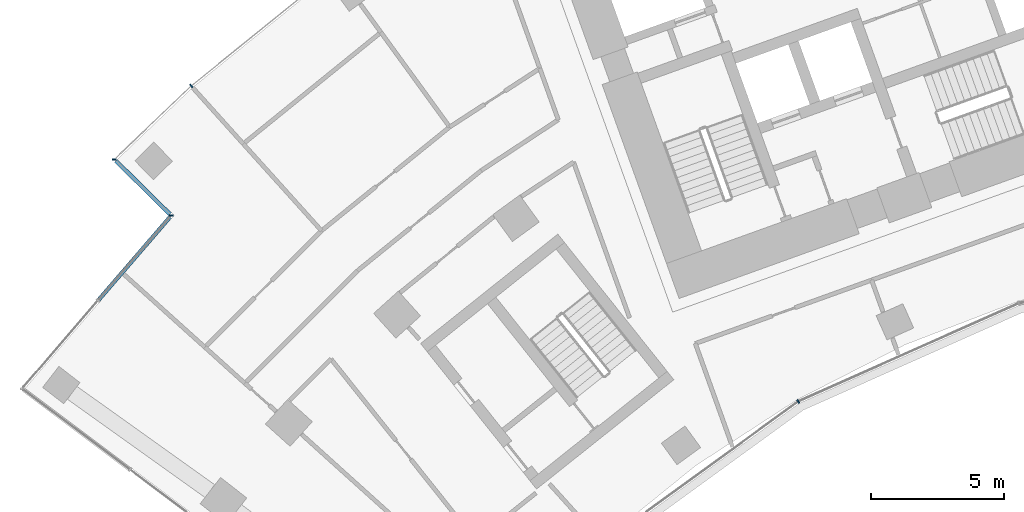
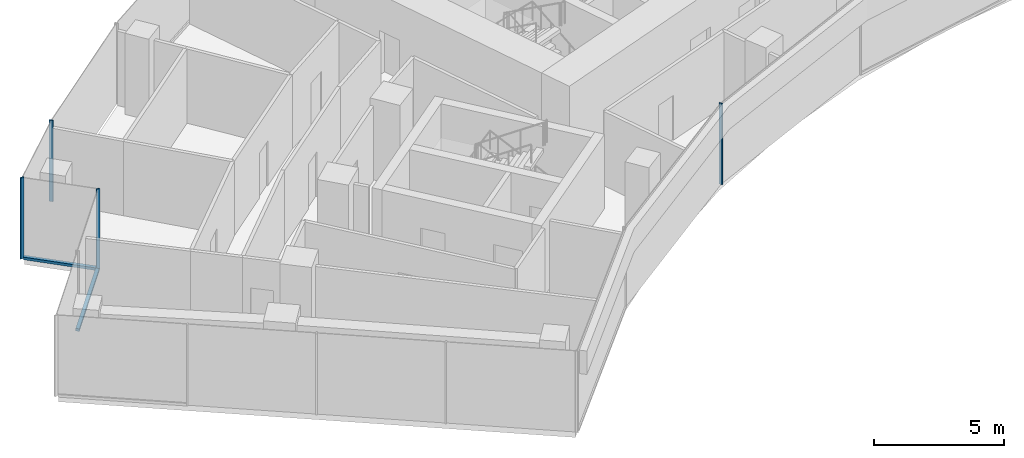
# One storey, part 3 of 20: 6 members, 4 elements without a shape of their own.
"""IFC4 building model written with IfcOpenShell, lengths in metres."""

import ifcopenshell
import ifcopenshell.guid

model = None  # the IFC model being written
_history = None  # IfcOwnerHistory: only IFC2X3 demands one
_inside = {}  # id of a spatial element -> (the spatial element, [elements in it])
_under = {}  # id of a project, library or spatial element -> (it, [spatial elements below it])
_declared = {}  # id of a project -> (the project, [libraries it declares])
_typed = {}  # id of a type object -> (the type object, [elements of that type])
_made_of = {}  # id of a material, layer set ... -> (it, [elements and type objects made of it])


def new_model(schema):
    """Start an empty IFC model of exactly this schema.

    Asked for "IFC4X3", IfcOpenShell would pick the latest addendum, in which some entities
    have other attributes; the version numbers below select the first issue.
    IFC2X3 requires an IfcOwnerHistory on every rooted entity: one is made here for all.
    """
    global model, _history
    if schema == "IFC4X3":
        model = ifcopenshell.file(schema_version=(4, 3, 0, 0))
    else:
        model = ifcopenshell.file(schema=schema)
    _inside.clear()
    _under.clear()
    _declared.clear()
    _typed.clear()
    _made_of.clear()
    _history = None
    if model.schema == "IFC2X3":
        org = make("IfcOrganization", Name="unknown")
        user = make(
            "IfcPersonAndOrganization",
            ThePerson=make("IfcPerson", FamilyName="unknown"),
            TheOrganization=org,
        )
        app = make(
            "IfcApplication",
            ApplicationDeveloper=org,
            Version="unknown",
            ApplicationFullName="unknown",
            ApplicationIdentifier="unknown",
        )
        _history = make(
            "IfcOwnerHistory",
            OwningUser=user,
            OwningApplication=app,
            ChangeAction="ADDED",
            CreationDate=0,
        )
    return model


def make(cls, **values):
    """One entity of the class cls with the attributes given. An attribute that is None is left unset."""
    return model.create_entity(
        cls, **{name: value for name, value in values.items() if value is not None}
    )


def rooted(cls, **values):
    """An entity with a GlobalId (a new one), such as an element, a storey or a relation."""
    return make(cls, GlobalId=ifcopenshell.guid.new(), OwnerHistory=_history, **values)


def si_unit(unit_type, name, prefix=None):
    """IfcSIUnit, for example si_unit("LENGTHUNIT", "METRE", prefix="MILLI")."""
    return make("IfcSIUnit", UnitType=unit_type, Prefix=prefix, Name=name)


def assignment(units):
    """IfcUnitAssignment: the units of a project."""
    return None if units is None else make("IfcUnitAssignment", Units=units)


def point(xyz):
    """IfcCartesianPoint."""
    return None if xyz is None else make("IfcCartesianPoint", Coordinates=xyz)


def direction(xyz):
    """IfcDirection."""
    return None if xyz is None else make("IfcDirection", DirectionRatios=xyz)


def frame(location, z_axis=None, x_axis=None):
    """IfcAxis2Placement3D, a coordinate frame: its origin and axes. An axis left out is left unset."""
    return make(
        "IfcAxis2Placement3D",
        Location=point(location),
        Axis=direction(z_axis),
        RefDirection=direction(x_axis),
    )


def frame_2d(location, x_axis=None):
    """IfcAxis2Placement2D, a coordinate frame in the plane: its origin and x axis."""
    return make(
        "IfcAxis2Placement2D", Location=point(location), RefDirection=direction(x_axis)
    )


def origin():
    """The frame at (0, 0, 0) with its axes left unset."""
    return frame((0.0, 0.0, 0.0))


def origin_2d():
    """The frame at (0, 0) in the plane with its x axis left unset."""
    return frame_2d((0.0, 0.0))


def place(relative_to, where):
    """IfcLocalPlacement: puts the frame where relative to a parent placement (None: the world)."""
    return make(
        "IfcLocalPlacement", PlacementRelTo=relative_to, RelativePlacement=where
    )


def context(
    kind, dimensions, precision=None, world=None, true_north=None, identifier=None
):
    """IfcGeometricRepresentationContext, for example the 3D "Model" context."""
    return make(
        "IfcGeometricRepresentationContext",
        ContextIdentifier=identifier,
        ContextType=kind,
        CoordinateSpaceDimension=dimensions,
        Precision=precision,
        WorldCoordinateSystem=world,
        TrueNorth=true_north,
    )


def subcontext(parent, identifier, kind, view, scale=None):
    """IfcGeometricRepresentationSubContext, for example "Body" below "Model"."""
    return make(
        "IfcGeometricRepresentationSubContext",
        ContextIdentifier=identifier,
        ContextType=kind,
        ParentContext=parent,
        TargetScale=scale,
        TargetView=view,
    )


def project(units=None, contexts=None):
    """IfcProject with its units and contexts."""
    return rooted(
        "IfcProject",
        Name="project",
        RepresentationContexts=contexts,
        UnitsInContext=assignment(units),
    )


def spatial(cls, under=None, at=None, **own):
    """A site, building, storey or space (cls), placed at a placement, below another one or the project."""
    s = rooted(cls, ObjectPlacement=at, **own)
    if under is not None:
        _under.setdefault(under.id(), (under, []))[1].append(s)
    return s


def profile(cls, at=None, kind="AREA", **sizes):
    """A parametric profile (cls). Its sizes go by their IFC names, for example OverallWidth=200.0."""
    return make(cls, ProfileType=kind, Position=at, **sizes)


def rectangle(**sizes):
    """IfcRectangleProfileDef."""
    return profile("IfcRectangleProfileDef", **sizes)


def extrude(swept, where, along, depth):
    """IfcExtrudedAreaSolid: the profile swept, set in the frame where, extruded along a direction by depth."""
    return make(
        "IfcExtrudedAreaSolid",
        SweptArea=swept,
        Position=where,
        ExtrudedDirection=direction(along),
        Depth=depth,
    )


def shape(context_of_items, identifier, shape_type, items):
    """IfcShapeRepresentation: the items that make up one representation, for example the "Body"."""
    return make(
        "IfcShapeRepresentation",
        ContextOfItems=context_of_items,
        RepresentationIdentifier=identifier,
        RepresentationType=shape_type,
        Items=items,
    )


def material(Name=None, Category=None):
    """IfcMaterial."""
    return make("IfcMaterial", Name=Name, Category=Category)


def layer(
    of_material, thickness, ventilated=None, Name=None, Category=None, Priority=None
):
    """IfcMaterialLayer: one layer of a wall or slab, of a material (None: an air gap)."""
    return make(
        "IfcMaterialLayer",
        Material=of_material,
        LayerThickness=thickness,
        IsVentilated=ventilated,
        Name=Name,
        Category=Category,
        Priority=Priority,
    )


def layer_set(layers, Name=None):
    """IfcMaterialLayerSet."""
    return make("IfcMaterialLayerSet", MaterialLayers=layers, LayerSetName=Name)


def material_profile(
    of_material, cross_section, Name=None, Category=None, Priority=None
):
    """IfcMaterialProfile: a cross section and its material."""
    return make(
        "IfcMaterialProfile",
        Name=Name,
        Material=of_material,
        Profile=cross_section,
        Priority=Priority,
        Category=Category,
    )


def profile_set(profiles, Name=None, composite=None):
    """IfcMaterialProfileSet."""
    return make(
        "IfcMaterialProfileSet",
        Name=Name,
        MaterialProfiles=profiles,
        CompositeProfile=composite,
    )


def made_of(thing, what):
    """Note that an element or type object is made of a material, layer set ...; save() writes the relation."""
    if what is not None:
        _made_of.setdefault(what.id(), (what, []))[1].append(thing)
    return thing


def type_object(cls, material=None, **own):
    """A type object (cls), such as IfcWallType, which elements share."""
    return made_of(rooted(cls, **own), material)


def element(
    cls,
    number,
    at=None,
    inside=None,
    cuts=None,
    type_object=None,
    material=None,
    context=None,
    identifier="Body",
    shape_type=None,
    held_by="IfcProductDefinitionShape",
    body=None,
    shapes=None,
    **own,
):
    """One element of the class cls, such as IfcWall. Its Tag is "e" and its number.

    at: its placement. inside: the storey or other place that contains it. cuts: it is an
    opening in that element (IfcRelVoidsElement). A single representation is given by context,
    identifier, shape_type and body (its items); several are given by shapes. held_by: the class
    of the entity that holds the representations. save() writes the other relations.
    """
    e = rooted(cls, Tag="e%d" % number, ObjectPlacement=at, **own)
    if body is not None:
        shapes = [shape(context, identifier, shape_type, body)]
    if shapes is not None:
        e.Representation = make(held_by, Representations=shapes)
    if inside is not None:
        _inside.setdefault(inside.id(), (inside, []))[1].append(e)
    if cuts is not None:
        rooted(
            "IfcRelVoidsElement", RelatingBuildingElement=cuts, RelatedOpeningElement=e
        )
    if type_object is not None:
        _typed.setdefault(type_object.id(), (type_object, []))[1].append(e)
    return made_of(e, material)


def aggregate(whole, parts):
    """IfcRelAggregates: a whole, such as a stair, and the parts it consists of."""
    return rooted("IfcRelAggregates", RelatingObject=whole, RelatedObjects=parts)


def save(model, path):
    """Write the relations noted so far, then the file.

    IfcRelAggregates (storeys below a building ...), IfcRelContainedInSpatialStructure (elements
    in a storey), IfcRelDefinesByType, IfcRelAssociatesMaterial and IfcRelDeclares: one each for
    every whole, place, type object, material and project.
    """
    for whole, parts in _under.values():
        aggregate(whole, parts)
    for where, things in _inside.values():
        rooted(
            "IfcRelContainedInSpatialStructure",
            RelatedElements=things,
            RelatingStructure=where,
        )
    for kind, things in _typed.values():
        rooted("IfcRelDefinesByType", RelatedObjects=things, RelatingType=kind)
    for what, things in _made_of.values():
        rooted("IfcRelAssociatesMaterial", RelatedObjects=things, RelatingMaterial=what)
    for by, libraries in _declared.values():
        rooted("IfcRelDeclares", RelatingContext=by, RelatedDefinitions=libraries)
    model.write(path)


model = new_model("IFC4")

# Units and contexts
model_context = context("Model", 3, precision=1e-05, world=origin(), true_north=direction((0.0, 1.0)))
body_context = subcontext(model_context, "Body", "Model", "MODEL_VIEW")
ifc_project = project(units=[si_unit("LENGTHUNIT", "METRE"), si_unit("AREAUNIT", "SQUARE_METRE"), si_unit("VOLUMEUNIT", "CUBIC_METRE"), si_unit("PLANEANGLEUNIT", "RADIAN"), si_unit("MASSUNIT", "GRAM", prefix="KILO")], contexts=[model_context])

# Site, building, storey
site_placement = place(None, origin())
site = spatial("IfcSite", under=ifc_project, at=site_placement, CompositionType="ELEMENT")
building_placement = place(site_placement, origin())
building = spatial("IfcBuilding", under=site, at=building_placement, Name="Stone Belt Terrace Tower", CompositionType="ELEMENT")
storey_placement = place(building_placement, frame((0.0, 0.0, 182.0)))
storey = spatial("IfcBuildingStorey", under=building, at=storey_placement, Name="L44", CompositionType="ELEMENT", Elevation=182.0)

# Curtain wall, member
ifc_material = material(Name="Aluminium 6063-T6 anodised frame", Category="aluminium")
ifc_layer_1 = layer(ifc_material, 0.14990234375)
ifc_layer_set_1 = layer_set([ifc_layer_1], Name="CW-A unitised convex-face curtain wall")
curtain_wall_type_1 = type_object("IfcCurtainWallType", Name="CW-A unitised convex-face curtain wall", PredefinedType="NOTDEFINED", material=ifc_layer_set_1)
curtain_wall_1_placement = place(storey_placement, origin())
curtain_wall_1 = element("IfcCurtainWall", 1, at=curtain_wall_1_placement, inside=storey, type_object=curtain_wall_type_1, Name="CW-A convex face L44", PredefinedType="NOTDEFINED")
ifc_material_profile_1 = material_profile(ifc_material, rectangle(XDim=0.14990234375, YDim=0.06005859375, at=origin_2d()), Name="Aluminium 6063-T6 60x150")
ifc_profile_set_1 = profile_set([ifc_material_profile_1], Name="Aluminium 6063-T6 anodised frame")
member_type_1 = type_object("IfcMemberType", Name="CW-A mullion 60 x 150", PredefinedType="MULLION", material=ifc_profile_set_1)
member_1_placement = place(storey_placement, frame((-44.546875, 49.4755859375, 0.0), z_axis=(0.0, 0.0, 1.0), x_axis=(0.660573481499, -0.75076139721, 0.0)))
member_1 = element("IfcMember", 2, at=member_1_placement, type_object=member_type_1, Name="CW-A mullion 15", PredefinedType="MULLION", context=body_context, shape_type="SweptSolid", body=[
    extrude(rectangle(XDim=0.14990234375, YDim=0.06005859375, at=origin_2d()), origin(), (0.0, 0.0, 1.0), 3.800048828125),
])
aggregate(curtain_wall_1, [member_1])

ifc_layer_2 = layer(ifc_material, 0.14990234375)
ifc_layer_set_2 = layer_set([ifc_layer_2], Name="CW-B unitised concave-face curtain wall")
curtain_wall_type_2 = type_object("IfcCurtainWallType", Name="CW-B unitised concave-face curtain wall", PredefinedType="NOTDEFINED", material=ifc_layer_set_2)
curtain_wall_2_placement = place(storey_placement, origin())
curtain_wall_2 = element("IfcCurtainWall", 3, at=curtain_wall_2_placement, inside=storey, type_object=curtain_wall_type_2, Name="CW-B concave face L44", PredefinedType="NOTDEFINED")
ifc_material_profile_2 = material_profile(ifc_material, rectangle(XDim=0.14990234375, YDim=0.050048828125, at=origin_2d()), Name="Aluminium 6063-T6 50x150")
ifc_profile_set_2 = profile_set([ifc_material_profile_2], Name="Aluminium 6063-T6 anodised frame")
member_type_2 = type_object("IfcMemberType", Name="CW-B mullion 50 x 150", PredefinedType="MULLION", material=ifc_profile_set_2)
member_2_placement = place(storey_placement, frame((-21.71240234375, 37.606689453125, 0.0), z_axis=(0.0, 0.0, 1.0), x_axis=(-0.5, 0.866025403784, 0.0)))
member_2 = element("IfcMember", 4, at=member_2_placement, type_object=member_type_2, Name="CW-B mullion 3", PredefinedType="MULLION", context=body_context, shape_type="SweptSolid", body=[
    extrude(rectangle(XDim=0.14990234375, YDim=0.050048828125, at=origin_2d()), origin(), (0.0, 0.0, 1.0), 3.800048828125),
])
aggregate(curtain_wall_2, [member_2])

ifc_layer_3 = layer(ifc_material, 0.14990234375)
ifc_layer_set_3 = layer_set([ifc_layer_3], Name="CW-C stick curtain wall, horn ends and notches")
curtain_wall_type_3 = type_object("IfcCurtainWallType", Name="CW-C stick curtain wall, horn ends and notches", PredefinedType="NOTDEFINED", material=ifc_layer_set_3)
curtain_wall_3_placement = place(storey_placement, origin())
curtain_wall_3 = element("IfcCurtainWall", 5, at=curtain_wall_3_placement, inside=storey, type_object=curtain_wall_type_3, Name="CW-C notch face L44", PredefinedType="NOTDEFINED")
ifc_material_profile_3 = material_profile(ifc_material, rectangle(XDim=0.14990234375, YDim=0.06005859375, at=origin_2d()), Name="Aluminium 6063-T6 60x150")
ifc_profile_set_3 = profile_set([ifc_material_profile_3], Name="Aluminium 6063-T6 anodised frame")
member_type_3 = type_object("IfcMemberType", Name="CW-C mullion 60 x 150", PredefinedType="MULLION", material=ifc_profile_set_3)
member_3_placement = place(storey_placement, frame((-47.4365234375, 46.715087890625, 0.0), z_axis=(0.0, 0.0, 1.0), x_axis=(0.999966480105, -0.008187714406, 0.0)))
member_3 = element("IfcMember", 6, at=member_3_placement, type_object=member_type_3, Name="CW-C mullion 1", PredefinedType="MULLION", context=body_context, shape_type="SweptSolid", body=[
    extrude(rectangle(XDim=0.14990234375, YDim=0.06005859375, at=origin_2d()), origin(), (0.0, 0.0, 1.0), 3.800048828125),
])

curtain_wall_4_placement = place(storey_placement, origin())
curtain_wall_4 = element("IfcCurtainWall", 7, at=curtain_wall_4_placement, inside=storey, type_object=curtain_wall_type_3, Name="CW-C notch face L44", PredefinedType="NOTDEFINED")
member_4_placement = place(storey_placement, frame((-45.29638671875, 44.602783203125, 0.0), z_axis=(0.0, 0.0, 1.0), x_axis=(0.999185209744, 0.040359839301, 0.0)))
member_4 = element("IfcMember", 8, at=member_4_placement, type_object=member_type_3, Name="CW-C mullion 1", PredefinedType="MULLION", context=body_context, shape_type="SweptSolid", body=[
    extrude(rectangle(XDim=0.14990234375, YDim=0.06005859375, at=origin_2d()), origin(), (0.0, 0.0, 1.0), 3.800048828125),
])

# Member
ifc_material_profile_4 = material_profile(ifc_material, rectangle(XDim=0.14990234375, YDim=0.1201171875, at=origin_2d()), Name="Aluminium 6063-T6 150x120")
ifc_profile_set_4 = profile_set([ifc_material_profile_4], Name="Aluminium 6063-T6 anodised frame")
member_type_4 = type_object("IfcMemberType", Name="CW-C transom 120 x 150", PredefinedType="USERDEFINED", material=ifc_profile_set_4)
member_5_placement = place(storey_placement, frame((-47.383544921875, 46.66259765625, 0.06005859375), z_axis=(0.711744791626, -0.702438147877, 0.0), x_axis=(0.702438147877, 0.711744791626, 0.0)))
member_5 = element("IfcMember", 9, at=member_5_placement, type_object=member_type_4, Name="CW-C transom 1.1", ObjectType="TRANSOM", PredefinedType="USERDEFINED", context=body_context, shape_type="SweptSolid", body=[
    extrude(rectangle(XDim=0.14990234375, YDim=0.1201171875, at=origin_2d()), origin(), (0.0, 0.0, 1.0), 2.859375),
])

aggregate(curtain_wall_3, [member_3, member_5])

member_6_placement = place(storey_placement, frame((-45.343994140625, 44.54736328125, 0.06005859375), z_axis=(-0.652755588772, -0.757568572029, 0.0), x_axis=(0.757568572029, -0.652755588772, 0.0)))
member_6 = element("IfcMember", 10, at=member_6_placement, type_object=member_type_4, Name="CW-C transom 1.1", ObjectType="TRANSOM", PredefinedType="USERDEFINED", context=body_context, shape_type="SweptSolid", body=[
    extrude(rectangle(XDim=0.14990234375, YDim=0.1201171875, at=origin_2d()), origin(), (0.0, 0.0, 1.0), 4.12060546875),
])

aggregate(curtain_wall_4, [member_4, member_6])

save(model, "model.ifc")
